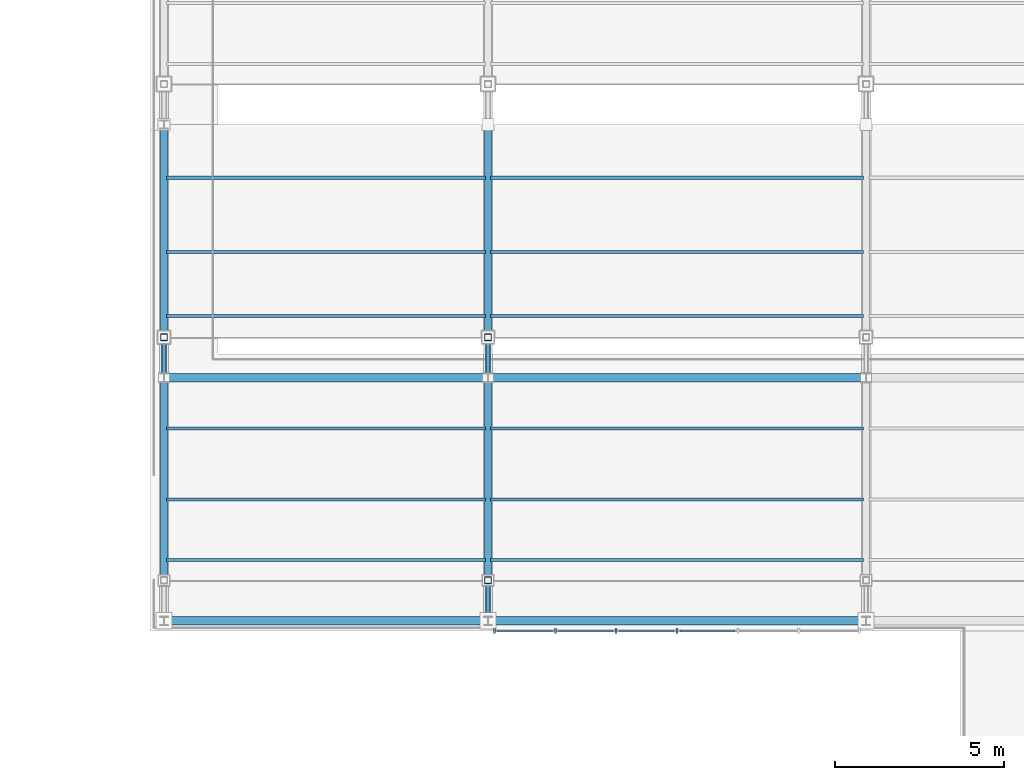
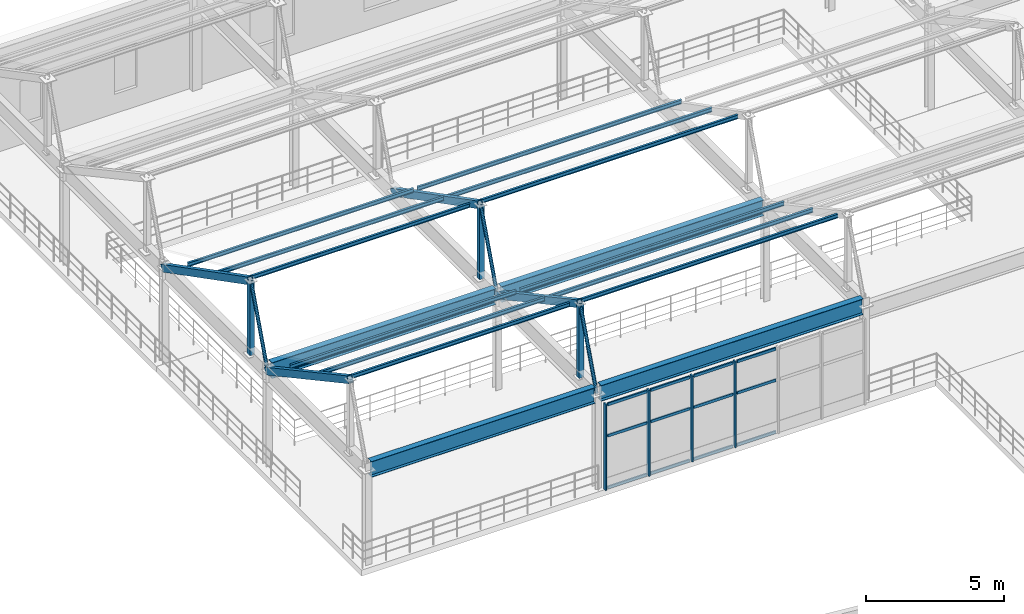
# One storey, part 54 of 112: 38 members, 4 beams, 1 element without a shape of its own.
"""IFC4 building model written with IfcOpenShell, lengths in metres."""

from ifc_helpers import new_model, si_unit, direction, frame, origin, origin_2d, place, context, subcontext, project, spatial, rectangle, hollow_rectangle, hollow_circle, i_section, extrude, material, material_profile, profile_set, type_object, element, aggregate, save


model = new_model("IFC4")

# Units and contexts
model_context = context("Model", 3, precision=1e-05, world=origin(), true_north=direction((0.0, 1.0)))
body_context = subcontext(model_context, "Body", "Model", "MODEL_VIEW")
ifc_project = project(units=[si_unit("LENGTHUNIT", "METRE"), si_unit("AREAUNIT", "SQUARE_METRE"), si_unit("VOLUMEUNIT", "CUBIC_METRE"), si_unit("PLANEANGLEUNIT", "RADIAN"), si_unit("MASSUNIT", "GRAM", prefix="KILO")], contexts=[model_context])

# Site, building, storey
site_placement = place(None, origin())
site = spatial("IfcSite", under=ifc_project, at=site_placement, CompositionType="ELEMENT")
building_placement = place(site_placement, origin())
building = spatial("IfcBuilding", under=site, at=building_placement, Name="Cinderbank Siding Concert Hall", CompositionType="ELEMENT")
storey_placement = place(building_placement, frame((0.0, 0.0, 10.199951171875)))
storey = spatial("IfcBuildingStorey", under=building, at=storey_placement, Name="L03", CompositionType="ELEMENT", Elevation=10.199951171875)

# Beams
ifc_material_1 = material(Name="Structural steel welded plate section AS/NZS 3679.2 / AS/NZS 3678 Grade 350 (340 MPa)", Category="steel")
ifc_material_profile_1 = material_profile(ifc_material_1, i_section(OverallWidth=0.25, OverallDepth=0.699951171875, WebThickness=0.010009765625, FlangeThickness=0.01611328125, at=origin_2d()), Name="700WB130", Category="LoadBearing")
ifc_profile_set_1 = profile_set([ifc_material_profile_1], Name="Structural steel welded plate section AS/NZS 3679.2 / AS/NZS 3678 Grade 350 (340 MPa)")
beam_type = type_object("IfcBeamType", Name="BM-WB700 700WB130", PredefinedType="BEAM", material=ifc_profile_set_1)
for number, where, z_axis, x_axis, name in (
    (1, (118.52001953125, 88.60009765625, 4.162109375), (1.0, 0.0, 0.0), (0.0, 1.0, 0.0), "L03 Beam BM-WB700 #1730"),
    (2, (118.52001953125, 95.800048828125, 4.162109375), (1.0, 0.0, 0.0), (0.0, 1.0, 0.0), "L03 Beam BM-WB700 #1731"),
):
    element("IfcBeam", number, at=place(storey_placement, frame(where, z_axis=z_axis, x_axis=x_axis)), inside=storey, type_object=beam_type, Name=name, PredefinedType="BEAM", context=body_context, shape_type="SweptSolid", body=[
        extrude(i_section(OverallWidth=0.25, OverallDepth=0.699951171875, WebThickness=0.010009765625, FlangeThickness=0.01611328125, at=origin_2d()), origin(), (0.0, 0.0, 1.0), 9.35986328125),
    ])
for number, where, z_axis, x_axis, name in (
    (3, (128.1201171875, 88.60009765625, 4.162109375), (1.0, 0.0, 0.0), (0.0, 1.0, 0.0), "L03 Beam BM-WB700 #1734"),
    (4, (128.1201171875, 95.800048828125, 4.162109375), (1.0, 0.0, 0.0), (0.0, 1.0, 0.0), "L03 Beam BM-WB700 #1735"),
):
    element("IfcBeam", number, at=place(storey_placement, frame(where, z_axis=z_axis, x_axis=x_axis)), inside=storey, type_object=beam_type, Name=name, PredefinedType="BEAM", context=body_context, shape_type="SweptSolid", body=[
        extrude(i_section(OverallWidth=0.25, OverallDepth=0.699951171875, WebThickness=0.010009765625, FlangeThickness=0.01611328125, at=origin_2d()), origin(), (0.0, 0.0, 1.0), 10.9599609375),
    ])

# Members
ifc_material_2 = material(Name="Structural steel hollow section AS/NZS 1163 Grade C350L0 (350 MPa)", Category="steel")
ifc_material_profile_2 = material_profile(ifc_material_2, hollow_circle(Radius=0.06982421875, WallThickness=0.00634765625, at=origin_2d()), Name="139.7x6.4CHS", Category="LoadBearing")
ifc_profile_set_2 = profile_set([ifc_material_profile_2], Name="Structural steel hollow section AS/NZS 1163 Grade C350L0 (350 MPa)")
member_type_1 = type_object("IfcMemberType", Name="BR-CHS139 139.7x6.4CHS Roof Truss", PredefinedType="BRACE", material=ifc_profile_set_2)
for number, where, z_axis, x_axis, name in (
    (5, (118.39990234375, 95.800048828125, 4.150146484375), (0.0, 0.346361679598, 0.938101053675), (-1.0, 0.0, 0.0), "L03 Diagonal Brace BR-CHS139 #V3DG-BR-CHS139-L03-2443"),
    (6, (128.0, 88.60009765625, 4.150146484375), (0.0, 0.346361679598, 0.938101053675), (-1.0, 0.0, 0.0), "L03 Diagonal Brace BR-CHS139 #V3DG-BR-CHS139-L03-2452"),
    (7, (128.0, 95.800048828125, 4.150146484375), (0.0, 0.346361679598, 0.938101053675), (-1.0, 0.0, 0.0), "L03 Diagonal Brace BR-CHS139 #V3DG-BR-CHS139-L03-2455"),
):
    element("IfcMember", number, at=place(storey_placement, frame(where, z_axis=z_axis, x_axis=x_axis)), inside=storey, type_object=member_type_1, Name=name, PredefinedType="BRACE", context=body_context, shape_type="SweptSolid", body=[
        extrude(hollow_circle(Radius=0.06982421875, WallThickness=0.00634765625, at=origin_2d()), origin(), (0.0, 0.0, 1.0), 3.46435546875),
    ])
ifc_material_profile_3 = material_profile(ifc_material_2, hollow_rectangle(XDim=0.199951171875, YDim=0.199951171875, WallThickness=0.009033203125, at=origin_2d()), Name="200x200x9.0SHS", Category="LoadBearing")
ifc_profile_set_3 = profile_set([ifc_material_profile_3], Name="Structural steel hollow section AS/NZS 1163 Grade C350L0 (350 MPa)")
member_type_2 = type_object("IfcMemberType", Name="BR-SHS200 200x200x9.0SHS Roof Truss", PredefinedType="BRACE", material=ifc_profile_set_3)
for number, where, z_axis, x_axis, name in (
    (8, (118.39990234375, 97.0, 4.150146484375), (0.0, 0.0, 1.0), (1.0, 0.0, 0.0), "L03 Diagonal Brace BR-SHS200 #V3ST-BR-SHS200-L03-2442"),
    (9, (128.0, 89.800048828125, 4.150146484375), (0.0, 0.0, 1.0), (1.0, 0.0, 0.0), "L03 Diagonal Brace BR-SHS200 #V3ST-BR-SHS200-L03-2451"),
    (10, (128.0, 97.0, 4.150146484375), (0.0, 0.0, 1.0), (1.0, 0.0, 0.0), "L03 Diagonal Brace BR-SHS200 #V3ST-BR-SHS200-L03-2454"),
):
    element("IfcMember", number, at=place(storey_placement, frame(where, z_axis=z_axis, x_axis=x_axis)), inside=storey, type_object=member_type_2, Name=name, PredefinedType="BRACE", context=body_context, shape_type="SweptSolid", body=[
        extrude(hollow_rectangle(XDim=0.199951171875, YDim=0.199951171875, WallThickness=0.009033203125, at=origin_2d()), origin(), (0.0, 0.0, 1.0), 3.25),
    ])

# Curtain wall, members
ifc_material_3 = material(Name="Anodised aluminium alloy 6063-T6", Category="aluminium")
curtain_wall_type = type_object("IfcCurtainWallType", Name="CW-16 Unitised Acoustic Curtain Wall 9200x3800", PredefinedType="NOTDEFINED", material=ifc_material_3)
curtain_wall_placement = place(storey_placement, origin())
curtain_wall = element("IfcCurtainWall", 11, at=curtain_wall_placement, inside=storey, type_object=curtain_wall_type, Name="L03 Curtain Wall CW-16 #152", PredefinedType="NOTDEFINED")
ifc_material_profile_4 = material_profile(ifc_material_3, rectangle(XDim=0.06005859375, YDim=0.159912109375, at=origin_2d()), Name="ALU-MULL-60x160", Category="LoadBearing")
ifc_profile_set_4 = profile_set([ifc_material_profile_4], Name="Anodised aluminium alloy 6063-T6")
member_type_3 = type_object("IfcMemberType", Name="CW-ML1 Mullion 60x160", PredefinedType="MULLION", material=ifc_profile_set_4)
member_1_placement = place(storey_placement, frame((128.193115234375, 88.300048828125, 0.0), z_axis=(0.0, 0.0, 1.0), x_axis=(1.0, 0.0, 0.0)))
member_1 = element("IfcMember", 12, at=member_1_placement, type_object=member_type_3, Name="CW-L03-152 Mullion 0", PredefinedType="MULLION", context=body_context, shape_type="SweptSolid", body=[
    extrude(rectangle(XDim=0.06005859375, YDim=0.159912109375, at=origin_2d()), origin(), (0.0, 0.0, 1.0), 3.797119140625),
])
member_2_placement = place(storey_placement, frame((129.995361328125, 88.300048828125, 0.0), z_axis=(0.0, 0.0, 1.0), x_axis=(1.0, 0.0, 0.0)))
member_2 = element("IfcMember", 13, at=member_2_placement, type_object=member_type_3, Name="CW-L03-152 Mullion 1", PredefinedType="MULLION", context=body_context, shape_type="SweptSolid", body=[
    extrude(rectangle(XDim=0.06005859375, YDim=0.159912109375, at=origin_2d()), origin(), (0.0, 0.0, 1.0), 3.797119140625),
])
member_3_placement = place(storey_placement, frame((131.797607421875, 88.300048828125, 0.0), z_axis=(0.0, 0.0, 1.0), x_axis=(1.0, 0.0, 0.0)))
member_3 = element("IfcMember", 14, at=member_3_placement, type_object=member_type_3, Name="CW-L03-152 Mullion 2", PredefinedType="MULLION", context=body_context, shape_type="SweptSolid", body=[
    extrude(rectangle(XDim=0.06005859375, YDim=0.159912109375, at=origin_2d()), origin(), (0.0, 0.0, 1.0), 3.797119140625),
])
member_4_placement = place(storey_placement, frame((133.60009765625, 88.300048828125, 0.0), z_axis=(0.0, 0.0, 1.0), x_axis=(1.0, 0.0, 0.0)))
member_4 = element("IfcMember", 15, at=member_4_placement, type_object=member_type_3, Name="CW-L03-152 Mullion 3", PredefinedType="MULLION", context=body_context, shape_type="SweptSolid", body=[
    extrude(rectangle(XDim=0.06005859375, YDim=0.159912109375, at=origin_2d()), origin(), (0.0, 0.0, 1.0), 3.797119140625),
])
ifc_material_profile_5 = material_profile(ifc_material_3, rectangle(XDim=0.06005859375, YDim=0.1201171875, at=origin_2d()), Name="ALU-TRAN-60x120", Category="LoadBearing")
ifc_profile_set_5 = profile_set([ifc_material_profile_5], Name="Anodised aluminium alloy 6063-T6")
member_type_4 = type_object("IfcMemberType", Name="CW-TR1 Transom 60x120", PredefinedType="USERDEFINED", material=ifc_profile_set_5)
member_5_placement = place(storey_placement, frame((128.283203125, 88.300048828125, 0.06005859375), z_axis=(1.0, 0.0, 0.0), x_axis=(0.0, 1.0, 0.0)))
member_5 = element("IfcMember", 16, at=member_5_placement, type_object=member_type_4, Name="CW-L03-152 Transom 0-0", ObjectType="TRANSOM", PredefinedType="USERDEFINED", context=body_context, shape_type="SweptSolid", body=[
    extrude(rectangle(XDim=0.06005859375, YDim=0.1201171875, at=origin_2d()), origin(), (0.0, 0.0, 1.0), 1.6220703125),
])
member_6_placement = place(storey_placement, frame((128.283203125, 88.300048828125, 2.354248046875), z_axis=(1.0, 0.0, 0.0), x_axis=(0.0, 1.0, 0.0)))
member_6 = element("IfcMember", 17, at=member_6_placement, type_object=member_type_4, Name="CW-L03-152 Transom 0-1", ObjectType="TRANSOM", PredefinedType="USERDEFINED", context=body_context, shape_type="SweptSolid", body=[
    extrude(rectangle(XDim=0.06005859375, YDim=0.1201171875, at=origin_2d()), origin(), (0.0, 0.0, 1.0), 1.6220703125),
])
member_7_placement = place(storey_placement, frame((128.283203125, 88.300048828125, 3.737060546875), z_axis=(1.0, 0.0, 0.0), x_axis=(0.0, 1.0, 0.0)))
member_7 = element("IfcMember", 18, at=member_7_placement, type_object=member_type_4, Name="CW-L03-152 Transom 0-2", ObjectType="TRANSOM", PredefinedType="USERDEFINED", context=body_context, shape_type="SweptSolid", body=[
    extrude(rectangle(XDim=0.06005859375, YDim=0.1201171875, at=origin_2d()), origin(), (0.0, 0.0, 1.0), 1.6220703125),
])
member_8_placement = place(storey_placement, frame((130.08544921875, 88.300048828125, 0.06005859375), z_axis=(1.0, 0.0, 0.0), x_axis=(0.0, 1.0, 0.0)))
member_8 = element("IfcMember", 19, at=member_8_placement, type_object=member_type_4, Name="CW-L03-152 Transom 1-0", ObjectType="TRANSOM", PredefinedType="USERDEFINED", context=body_context, shape_type="SweptSolid", body=[
    extrude(rectangle(XDim=0.06005859375, YDim=0.1201171875, at=origin_2d()), origin(), (0.0, 0.0, 1.0), 1.6220703125),
])
member_9_placement = place(storey_placement, frame((130.08544921875, 88.300048828125, 2.354248046875), z_axis=(1.0, 0.0, 0.0), x_axis=(0.0, 1.0, 0.0)))
member_9 = element("IfcMember", 20, at=member_9_placement, type_object=member_type_4, Name="CW-L03-152 Transom 1-1", ObjectType="TRANSOM", PredefinedType="USERDEFINED", context=body_context, shape_type="SweptSolid", body=[
    extrude(rectangle(XDim=0.06005859375, YDim=0.1201171875, at=origin_2d()), origin(), (0.0, 0.0, 1.0), 1.6220703125),
])
member_10_placement = place(storey_placement, frame((130.08544921875, 88.300048828125, 3.737060546875), z_axis=(1.0, 0.0, 0.0), x_axis=(0.0, 1.0, 0.0)))
member_10 = element("IfcMember", 21, at=member_10_placement, type_object=member_type_4, Name="CW-L03-152 Transom 1-2", ObjectType="TRANSOM", PredefinedType="USERDEFINED", context=body_context, shape_type="SweptSolid", body=[
    extrude(rectangle(XDim=0.06005859375, YDim=0.1201171875, at=origin_2d()), origin(), (0.0, 0.0, 1.0), 1.6220703125),
])
member_11_placement = place(storey_placement, frame((131.8876953125, 88.300048828125, 0.06005859375), z_axis=(1.0, 0.0, 0.0), x_axis=(0.0, 1.0, 0.0)))
member_11 = element("IfcMember", 22, at=member_11_placement, type_object=member_type_4, Name="CW-L03-152 Transom 2-0", ObjectType="TRANSOM", PredefinedType="USERDEFINED", context=body_context, shape_type="SweptSolid", body=[
    extrude(rectangle(XDim=0.06005859375, YDim=0.1201171875, at=origin_2d()), origin(), (0.0, 0.0, 1.0), 1.622314453125),
])
member_12_placement = place(storey_placement, frame((131.8876953125, 88.300048828125, 2.354248046875), z_axis=(1.0, 0.0, 0.0), x_axis=(0.0, 1.0, 0.0)))
member_12 = element("IfcMember", 23, at=member_12_placement, type_object=member_type_4, Name="CW-L03-152 Transom 2-1", ObjectType="TRANSOM", PredefinedType="USERDEFINED", context=body_context, shape_type="SweptSolid", body=[
    extrude(rectangle(XDim=0.06005859375, YDim=0.1201171875, at=origin_2d()), origin(), (0.0, 0.0, 1.0), 1.622314453125),
])
member_13_placement = place(storey_placement, frame((131.8876953125, 88.300048828125, 3.737060546875), z_axis=(1.0, 0.0, 0.0), x_axis=(0.0, 1.0, 0.0)))
member_13 = element("IfcMember", 24, at=member_13_placement, type_object=member_type_4, Name="CW-L03-152 Transom 2-2", ObjectType="TRANSOM", PredefinedType="USERDEFINED", context=body_context, shape_type="SweptSolid", body=[
    extrude(rectangle(XDim=0.06005859375, YDim=0.1201171875, at=origin_2d()), origin(), (0.0, 0.0, 1.0), 1.622314453125),
])
member_14_placement = place(storey_placement, frame((133.690185546875, 88.300048828125, 0.06005859375), z_axis=(1.0, 0.0, 0.0), x_axis=(0.0, 1.0, 0.0)))
member_14 = element("IfcMember", 25, at=member_14_placement, type_object=member_type_4, Name="CW-L03-152 Transom 3-0", ObjectType="TRANSOM", PredefinedType="USERDEFINED", context=body_context, shape_type="SweptSolid", body=[
    extrude(rectangle(XDim=0.06005859375, YDim=0.1201171875, at=origin_2d()), origin(), (0.0, 0.0, 1.0), 1.6220703125),
])
member_15_placement = place(storey_placement, frame((133.690185546875, 88.300048828125, 2.354248046875), z_axis=(1.0, 0.0, 0.0), x_axis=(0.0, 1.0, 0.0)))
member_15 = element("IfcMember", 26, at=member_15_placement, type_object=member_type_4, Name="CW-L03-152 Transom 3-1", ObjectType="TRANSOM", PredefinedType="USERDEFINED", context=body_context, shape_type="SweptSolid", body=[
    extrude(rectangle(XDim=0.06005859375, YDim=0.1201171875, at=origin_2d()), origin(), (0.0, 0.0, 1.0), 1.6220703125),
])
member_16_placement = place(storey_placement, frame((133.690185546875, 88.300048828125, 3.737060546875), z_axis=(1.0, 0.0, 0.0), x_axis=(0.0, 1.0, 0.0)))
member_16 = element("IfcMember", 27, at=member_16_placement, type_object=member_type_4, Name="CW-L03-152 Transom 3-2", ObjectType="TRANSOM", PredefinedType="USERDEFINED", context=body_context, shape_type="SweptSolid", body=[
    extrude(rectangle(XDim=0.06005859375, YDim=0.1201171875, at=origin_2d()), origin(), (0.0, 0.0, 1.0), 1.6220703125),
])
aggregate(curtain_wall, [member_1, member_2, member_3, member_4, member_5, member_6, member_7, member_8, member_9, member_10, member_11, member_12, member_13, member_14, member_15, member_16])

# Members
ifc_material_4 = material(Name="Structural steel AS/NZS 3679.1 Grade 350 (340 MPa)", Category="steel")
ifc_material_profile_6 = material_profile(ifc_material_4, i_section(OverallWidth=0.090087890625, OverallDepth=0.175048828125, WebThickness=0.0048828125, FlangeThickness=0.008056640625, at=origin_2d()), Name="180UB18.1", Category="LoadBearing")
ifc_profile_set_6 = profile_set([ifc_material_profile_6], Name="Structural steel AS/NZS 3679.1 Grade 350 (340 MPa)")
member_type_5 = type_object("IfcMemberType", Name="PR-UB180 180UB18.1 Roof Truss", PredefinedType="PURLIN", material=ifc_profile_set_6)
for number, where, z_axis, x_axis, name in (
    (28, (118.47998046875, 94.300048828125, 5.199951171875), (1.0, 0.0, 0.0), (0.0, 1.0, 0.0), "L03 Roof Truss Member PR-UB180 #2486"),
    (29, (118.47998046875, 92.199951171875, 6.179931640625), (1.0, 0.0, 0.0), (0.0, 1.0, 0.0), "L03 Roof Truss Member PR-UB180 #2487"),
    (30, (118.47998046875, 90.39990234375, 7.02001953125), (1.0, 0.0, 0.0), (0.0, 1.0, 0.0), "L03 Roof Truss Member PR-UB180 #2488"),
    (31, (118.47998046875, 101.72509765625, 5.199951171875), (1.0, 0.0, 0.0), (0.0, 1.0, 0.0), "L03 Roof Truss Member PR-UB180 #2489"),
    (32, (118.47998046875, 99.52001953125, 6.179931640625), (1.0, 0.0, 0.0), (0.0, 1.0, 0.0), "L03 Roof Truss Member PR-UB180 #2490"),
    (33, (118.47998046875, 97.6298828125, 7.02001953125), (1.0, 0.0, 0.0), (0.0, 1.0, 0.0), "L03 Roof Truss Member PR-UB180 #2491"),
):
    element("IfcMember", number, at=place(storey_placement, frame(where, z_axis=z_axis, x_axis=x_axis)), inside=storey, type_object=member_type_5, Name=name, PredefinedType="PURLIN", context=body_context, shape_type="SweptSolid", body=[
        extrude(i_section(OverallWidth=0.090087890625, OverallDepth=0.175048828125, WebThickness=0.0048828125, FlangeThickness=0.008056640625, at=origin_2d()), origin(), (0.0, 0.0, 1.0), 9.43994140625),
    ])
for number, where, z_axis, x_axis, name in (
    (34, (128.080078125, 94.300048828125, 5.199951171875), (1.0, 0.0, 0.0), (0.0, 1.0, 0.0), "L03 Roof Truss Member PR-UB180 #2498"),
    (35, (128.080078125, 92.199951171875, 6.179931640625), (1.0, 0.0, 0.0), (0.0, 1.0, 0.0), "L03 Roof Truss Member PR-UB180 #2499"),
    (36, (128.080078125, 90.39990234375, 7.02001953125), (1.0, 0.0, 0.0), (0.0, 1.0, 0.0), "L03 Roof Truss Member PR-UB180 #2500"),
    (37, (128.080078125, 101.72509765625, 5.199951171875), (1.0, 0.0, 0.0), (0.0, 1.0, 0.0), "L03 Roof Truss Member PR-UB180 #2501"),
    (38, (128.080078125, 99.52001953125, 6.179931640625), (1.0, 0.0, 0.0), (0.0, 1.0, 0.0), "L03 Roof Truss Member PR-UB180 #2502"),
    (39, (128.080078125, 97.6298828125, 7.02001953125), (1.0, 0.0, 0.0), (0.0, 1.0, 0.0), "L03 Roof Truss Member PR-UB180 #2503"),
):
    element("IfcMember", number, at=place(storey_placement, frame(where, z_axis=z_axis, x_axis=x_axis)), inside=storey, type_object=member_type_5, Name=name, PredefinedType="PURLIN", context=body_context, shape_type="SweptSolid", body=[
        extrude(i_section(OverallWidth=0.090087890625, OverallDepth=0.175048828125, WebThickness=0.0048828125, FlangeThickness=0.008056640625, at=origin_2d()), origin(), (0.0, 0.0, 1.0), 11.0400390625),
    ])
ifc_material_profile_7 = material_profile(ifc_material_2, hollow_rectangle(XDim=0.199951171875, YDim=0.300048828125, WallThickness=0.010009765625, at=origin_2d()), Name="300x200x10.0RHS", Category="LoadBearing")
ifc_profile_set_7 = profile_set([ifc_material_profile_7], Name="Structural steel hollow section AS/NZS 1163 Grade C350L0 (350 MPa)")
member_type_6 = type_object("IfcMemberType", Name="TR-RHS300 300x200x10.0RHS Roof Truss", PredefinedType="RAFTER", material=ifc_profile_set_7)
member_17_placement = place(storey_placement, frame((118.39990234375, 95.800048828125, 4.150146484375), z_axis=(0.0, -0.879291966537, 0.476283148541), x_axis=(1.0, 0.0, 0.0)))
element("IfcMember", 40, at=member_17_placement, inside=storey, type_object=member_type_6, Name="L03 Roof Truss Member TR-RHS300 #2438", PredefinedType="RAFTER", context=body_context, shape_type="SweptSolid", body=[
    extrude(hollow_rectangle(XDim=0.199951171875, YDim=0.300048828125, WallThickness=0.010009765625, at=origin_2d()), origin(), (0.0, 0.0, 1.0), 6.82373046875),
])
member_18_placement = place(storey_placement, frame((118.39990234375, 103.300048828125, 4.150146484375), z_axis=(0.0, -0.888714816718, 0.458460439456), x_axis=(1.0, 0.0, 0.0)))
element("IfcMember", 41, at=member_18_placement, inside=storey, type_object=member_type_6, Name="L03 Roof Truss Member TR-RHS300 #2441", PredefinedType="RAFTER", context=body_context, shape_type="SweptSolid", body=[
    extrude(hollow_rectangle(XDim=0.199951171875, YDim=0.300048828125, WallThickness=0.010009765625, at=origin_2d()), origin(), (0.0, 0.0, 1.0), 7.0888671875),
])
member_19_placement = place(storey_placement, frame((128.0, 95.800048828125, 4.150146484375), z_axis=(0.0, -0.879291966537, 0.476283148541), x_axis=(1.0, 0.0, 0.0)))
element("IfcMember", 42, at=member_19_placement, inside=storey, type_object=member_type_6, Name="L03 Roof Truss Member TR-RHS300 #2450", PredefinedType="RAFTER", context=body_context, shape_type="SweptSolid", body=[
    extrude(hollow_rectangle(XDim=0.199951171875, YDim=0.300048828125, WallThickness=0.010009765625, at=origin_2d()), origin(), (0.0, 0.0, 1.0), 6.82373046875),
])
member_20_placement = place(storey_placement, frame((128.0, 103.300048828125, 4.150146484375), z_axis=(0.0, -0.888714816718, 0.458460439456), x_axis=(1.0, 0.0, 0.0)))
element("IfcMember", 43, at=member_20_placement, inside=storey, type_object=member_type_6, Name="L03 Roof Truss Member TR-RHS300 #2453", PredefinedType="RAFTER", context=body_context, shape_type="SweptSolid", body=[
    extrude(hollow_rectangle(XDim=0.199951171875, YDim=0.300048828125, WallThickness=0.010009765625, at=origin_2d()), origin(), (0.0, 0.0, 1.0), 7.0888671875),
])

save(model, "model.ifc")
